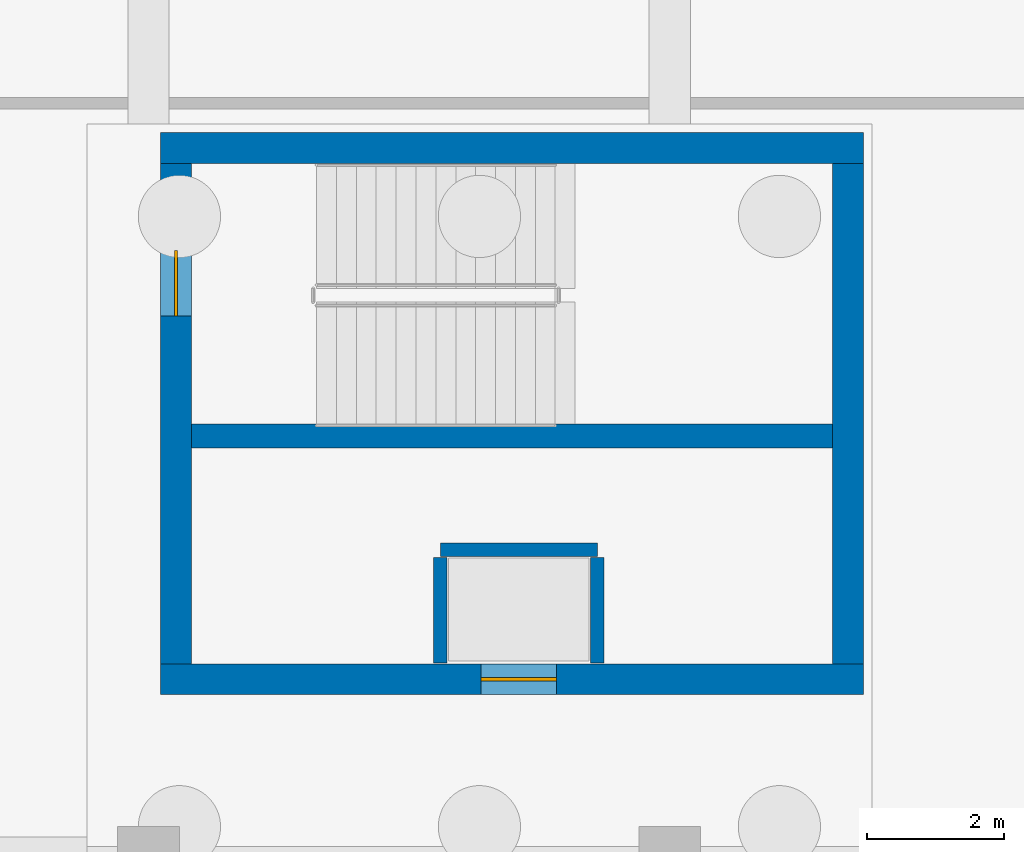
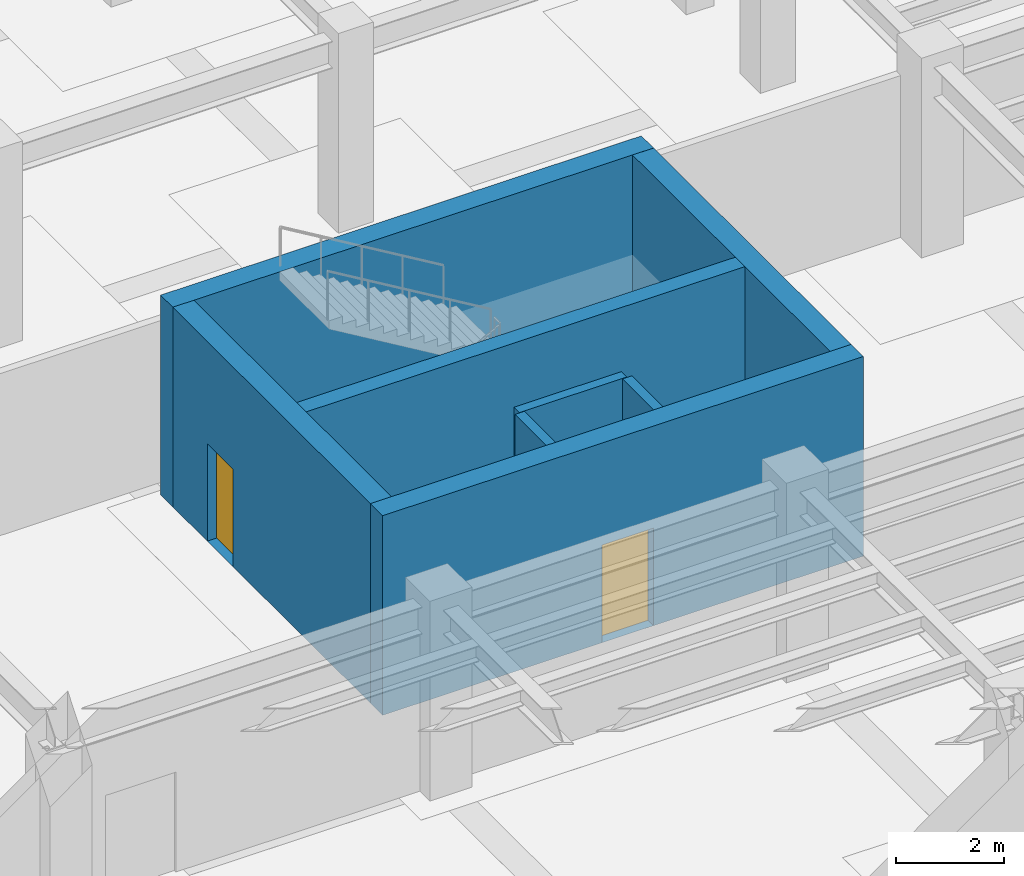
# One storey, part 29 of 49: 8 walls, 2 doors, 2 openings.
"""IFC4 building model written with IfcOpenShell, lengths in metres."""

from ifc_helpers import new_model, si_unit, direction, frame, frame_2d, origin, place, context, subcontext, project, spatial, rectangle, extrude, material, layer, layer_set, type_object, element, fill, save


model = new_model("IFC4")

# Units and contexts
model_context = context("Model", 3, precision=1e-05, world=origin(), true_north=direction((0.0, 1.0)))
body_context = subcontext(model_context, "Body", "Model", "MODEL_VIEW")
ifc_project = project(units=[si_unit("LENGTHUNIT", "METRE"), si_unit("AREAUNIT", "SQUARE_METRE"), si_unit("VOLUMEUNIT", "CUBIC_METRE"), si_unit("PLANEANGLEUNIT", "RADIAN"), si_unit("MASSUNIT", "GRAM", prefix="KILO")], contexts=[model_context])

# Site, building, storey
site_placement = place(None, origin())
site = spatial("IfcSite", under=ifc_project, at=site_placement, CompositionType="ELEMENT")
building_placement = place(site_placement, origin())
building = spatial("IfcBuilding", under=site, at=building_placement, Name="Sollismere Congress Hotel", CompositionType="ELEMENT")
storey_placement = place(building_placement, frame((0.0, 0.0, -4.5)))
storey = spatial("IfcBuildingStorey", under=building, at=storey_placement, Name="B1", CompositionType="ELEMENT", Elevation=-4.5)

# Walls
ifc_material_1 = material(Name="Moisture-Resistant Shaft Gypsum Assembly")
ifc_layer_1 = layer(ifc_material_1, 0.199951171875, Name="Moisture-Resistant Shaft Gypsum Assembly")
ifc_layer_set_1 = layer_set([ifc_layer_1], Name="Moisture-Resistant Shaft Gypsum Assembly")
wall_type_1 = type_object("IfcWallType", Name="WL-PLM200", PredefinedType="PLUMBINGWALL", material=ifc_layer_set_1)
wall_1_placement = place(storey_placement, frame((54.655029296875, 12.68994140625, 0.0), z_axis=(0.0, 0.0, 1.0), x_axis=(1.0, 0.0, 0.0)))
element("IfcWall", 1, at=wall_1_placement, inside=storey, type_object=wall_type_1, Name="Interior wall IW-B1-0676", PredefinedType="PLUMBINGWALL", context=body_context, shape_type="SweptSolid", body=[
    extrude(rectangle(XDim=2.2900390625, YDim=0.199951171875, at=frame_2d((1.14501953125, 0.0))), origin(), (0.0, 0.0, 1.0), 4.175048828125),
])
for number, where, z_axis, x_axis, name in (
    (2, (54.655029296875, 11.037109375, 0.0), (0.0, 0.0, 1.0), (0.0, 1.0, 0.0), "Interior wall IW-B1-0677"),
    (3, (56.945068359375, 11.037109375, 0.0), (0.0, 0.0, 1.0), (0.0, 1.0, 0.0), "Interior wall IW-B1-0678"),
):
    element("IfcWall", number, at=place(storey_placement, frame(where, z_axis=z_axis, x_axis=x_axis)), inside=storey, type_object=wall_type_1, Name=name, PredefinedType="PLUMBINGWALL", context=body_context, shape_type="SweptSolid", body=[
        extrude(rectangle(XDim=1.540771484375, YDim=0.199951171875, at=frame_2d((0.7705078125, 0.0))), origin(), (0.0, 0.0, 1.0), 4.175048828125),
    ])
ifc_material_2 = material(Name="Concrete C50/60", Category="concrete")
ifc_layer_2 = layer(ifc_material_2, 0.35009765625, Name="Concrete C50/60")
ifc_layer_set_2 = layer_set([ifc_layer_2], Name="Concrete C50/60")
wall_type_2 = type_object("IfcWallType", Name="WL-SHR350", PredefinedType="SHEAR", material=ifc_layer_set_2)
wall_2_placement = place(storey_placement, frame((51.02490234375, 14.35009765625, 0.0), z_axis=(0.0, 0.0, 1.0), x_axis=(1.0, 0.0, 0.0)))
element("IfcWall", 4, at=wall_2_placement, inside=storey, type_object=wall_type_2, Name="Interior wall IW-B1-0675", PredefinedType="SHEAR", context=body_context, shape_type="SweptSolid", body=[
    extrude(rectangle(XDim=9.35009765625, YDim=0.35009765625, at=frame_2d((4.675048828125, 0.0))), origin(), (0.0, 0.0, 1.0), 4.5),
])

# Wall, opening, door
ifc_layer_3 = layer(ifc_material_2, 0.449951171875, Name="Concrete C50/60")
ifc_layer_set_3 = layer_set([ifc_layer_3], Name="Concrete C50/60")
wall_type_3 = type_object("IfcWallType", Name="WL-SHR450", PredefinedType="SHEAR", material=ifc_layer_set_3)
wall_3_placement = place(storey_placement, frame((50.574951171875, 10.800048828125, 0.0), z_axis=(0.0, 0.0, 1.0), x_axis=(1.0, 0.0, 0.0)))
wall_3 = element("IfcWall", 5, at=wall_3_placement, inside=storey, type_object=wall_type_3, Name="Interior wall IW-B1-0671", PredefinedType="SHEAR", context=body_context, shape_type="SweptSolid", body=[
    extrude(rectangle(XDim=10.25, YDim=0.449951171875, at=frame_2d((5.125, 0.0))), origin(), (0.0, 0.0, 1.0), 4.5),
])
opening_1_placement = place(wall_3_placement, frame((4.675048828125, 0.0, 0.0)))
opening_1 = element("IfcOpeningElement", 6, at=opening_1_placement, cuts=wall_3, Name="Opening LD-LP-09-B1", PredefinedType="OPENING", context=body_context, shape_type="SweptSolid", body=[
    extrude(rectangle(XDim=1.10009765625, YDim=2.199951171875, at=frame_2d((0.550048828125, 1.10009765625))), frame((0.0, 0.23486328125, 0.0), z_axis=(0.0, -1.0, 0.0), x_axis=(1.0, 0.0, 0.0)), (0.0, 0.0, 1.0), 0.469970703125),
])
ifc_material_3 = material(Name="Brushed Bronze Sliding Elevator Landing Door")
door_type_1 = type_object("IfcDoorType", Name="DR-LD110", OperationType="NOTDEFINED", PredefinedType="DOOR", material=ifc_material_3)
door_1_placement = place(opening_1_placement, origin())
door_1 = element("IfcDoor", 7, at=door_1_placement, inside=storey, type_object=door_type_1, Name="Elevator landing door LD-LP-09-B1", OperationType="SLIDING_TO_LEFT", OverallHeight=2.199951171875, OverallWidth=1.10009765625, PredefinedType="DOOR", context=body_context, shape_type="SweptSolid", body=[
    extrude(rectangle(XDim=1.10009765625, YDim=2.199951171875, at=frame_2d((0.550048828125, 1.10009765625))), frame((0.0, 0.02490234375, 0.0), z_axis=(0.0, -1.0, 0.0), x_axis=(1.0, 0.0, 0.0)), (0.0, 0.0, 1.0), 0.050048828125),
])
fill(opening_1, door_1)

# Wall
wall_4_placement = place(storey_placement, frame((60.824951171875, 18.550048828125, 0.0), z_axis=(0.0, 0.0, 1.0), x_axis=(-1.0, 0.0, 0.0)))
element("IfcWall", 8, at=wall_4_placement, inside=storey, type_object=wall_type_3, Name="Interior wall IW-B1-0672", PredefinedType="SHEAR", context=body_context, shape_type="SweptSolid", body=[
    extrude(rectangle(XDim=10.25, YDim=0.449951171875, at=frame_2d((5.125, 0.0))), origin(), (0.0, 0.0, 1.0), 4.5),
])

# Wall, opening, door
wall_5_placement = place(storey_placement, frame((50.800048828125, 18.324951171875, 0.0), z_axis=(0.0, 0.0, 1.0), x_axis=(0.0, -1.0, 0.0)))
wall_5 = element("IfcWall", 9, at=wall_5_placement, inside=storey, type_object=wall_type_3, Name="Interior wall IW-B1-0673", PredefinedType="SHEAR", context=body_context, shape_type="SweptSolid", body=[
    extrude(rectangle(XDim=7.300048828125, YDim=0.449951171875, at=frame_2d((3.64990234375, 0.0))), origin(), (0.0, 0.0, 1.0), 4.5),
])
opening_2_placement = place(wall_5_placement, frame((1.27490234375, 0.0, 0.0)))
opening_2 = element("IfcOpeningElement", 10, at=opening_2_placement, cuts=wall_5, Name="Opening D-ST-06-B1", PredefinedType="OPENING", context=body_context, shape_type="SweptSolid", body=[
    extrude(rectangle(XDim=0.949951171875, YDim=2.199951171875, at=frame_2d((0.47509765625, 1.10009765625))), frame((0.0, 0.23486328125, 0.0), z_axis=(0.0, -1.0, 0.0), x_axis=(1.0, 0.0, 0.0)), (0.0, 0.0, 1.0), 0.469970703125),
])
ifc_material_4 = material(Name="Fire-Rated Insulated Steel Door", Category="steel")
door_type_2 = type_object("IfcDoorType", Name="DR-FD90", OperationType="NOTDEFINED", PredefinedType="DOOR", material=ifc_material_4)
door_2_placement = place(opening_2_placement, origin())
door_2 = element("IfcDoor", 11, at=door_2_placement, inside=storey, type_object=door_type_2, Name="Exit stair fire door D-ST-06-B1", OperationType="SINGLE_SWING_RIGHT", OverallHeight=2.199951171875, OverallWidth=0.949951171875, PredefinedType="DOOR", context=body_context, shape_type="SweptSolid", body=[
    extrude(rectangle(XDim=0.949951171875, YDim=2.199951171875, at=frame_2d((0.47509765625, 1.10009765625))), frame((0.0, 0.02490234375, 0.0), z_axis=(0.0, -1.0, 0.0), x_axis=(1.0, 0.0, 0.0)), (0.0, 0.0, 1.0), 0.050048828125),
])
fill(opening_2, door_2)

# Wall
wall_6_placement = place(storey_placement, frame((60.60009765625, 11.02490234375, 0.0), z_axis=(0.0, 0.0, 1.0), x_axis=(0.0, 1.0, 0.0)))
element("IfcWall", 12, at=wall_6_placement, inside=storey, type_object=wall_type_3, Name="Interior wall IW-B1-0674", PredefinedType="SHEAR", context=body_context, shape_type="SweptSolid", body=[
    extrude(rectangle(XDim=7.300048828125, YDim=0.449951171875, at=frame_2d((3.64990234375, 0.0))), origin(), (0.0, 0.0, 1.0), 4.5),
])

save(model, "model.ifc")
